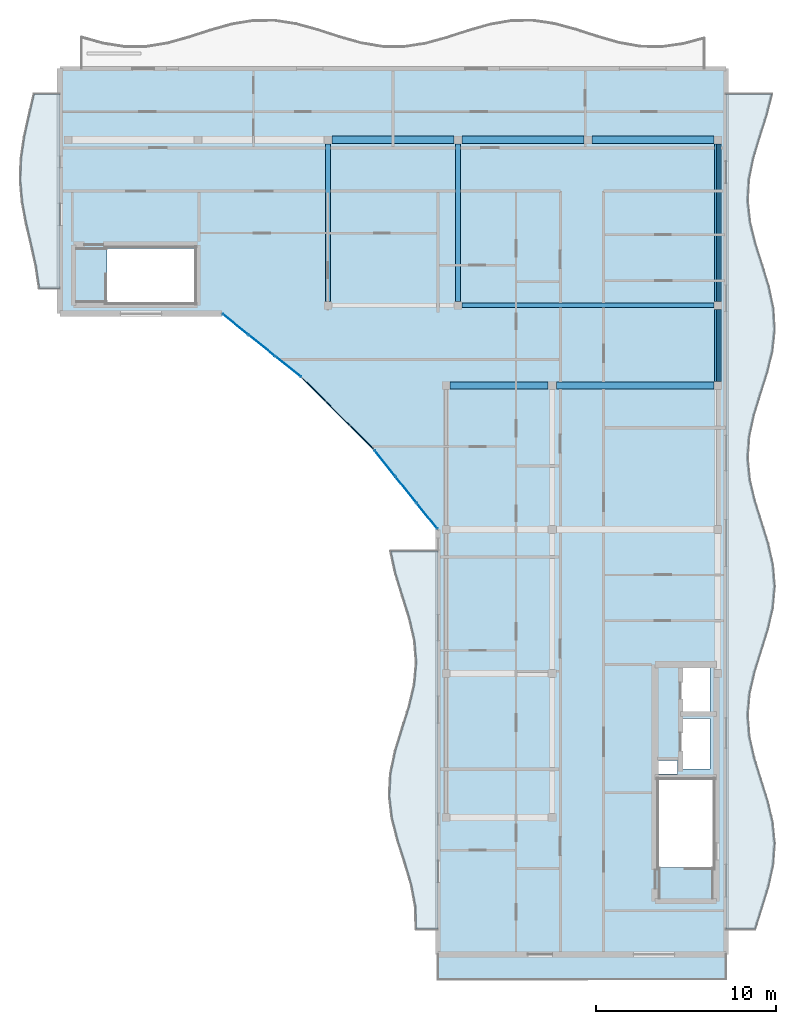
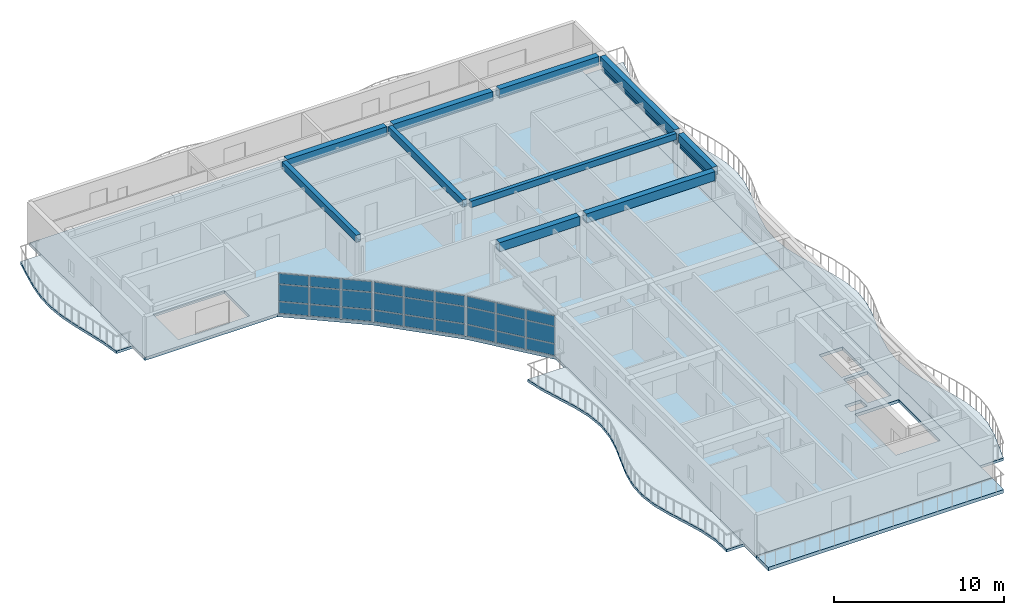
# One storey, part 7 of 14: 27 plates, 10 beams, 5 slabs, 4 members, 3 elements without a shape of their own.
"""IFC4 building model written with IfcOpenShell, lengths in metres."""

from ifc_helpers import new_model, si_unit, direction, frame, origin, origin_2d, place, context, subcontext, project, spatial, polyline, rectangle, hollow_rectangle, outline, extrude, material, layer, layer_set, material_profile, profile_set, type_object, element, aggregate, save


model = new_model("IFC4")

# Units and contexts
model_context = context("Model", 3, precision=1e-05, world=origin(), true_north=direction((0.0, 1.0)))
body_context = subcontext(model_context, "Body", "Model", "MODEL_VIEW")
ifc_project = project(units=[si_unit("LENGTHUNIT", "METRE"), si_unit("AREAUNIT", "SQUARE_METRE"), si_unit("VOLUMEUNIT", "CUBIC_METRE"), si_unit("PLANEANGLEUNIT", "RADIAN"), si_unit("MASSUNIT", "GRAM", prefix="KILO")], contexts=[model_context])

# Site, building, storey
site_placement = place(None, origin())
site = spatial("IfcSite", under=ifc_project, at=site_placement, CompositionType="ELEMENT")
building_placement = place(site_placement, origin())
building = spatial("IfcBuilding", under=site, at=building_placement, Name="Keldmere Railside Commons", CompositionType="ELEMENT")
storey_placement = place(building_placement, frame((0.0, 0.0, 42.56005859375)))
storey = spatial("IfcBuildingStorey", under=building, at=storey_placement, Name="L13", CompositionType="ELEMENT", Elevation=42.56005859375)

# Members
ifc_material_1 = material(Name="Steel F-36 (S355)", Category="steel")
ifc_material_profile_1 = material_profile(ifc_material_1, hollow_rectangle(XDim=0.14990234375, YDim=0.25, WallThickness=0.010009765625, at=origin_2d()), Name="RHS-250x150x10")
ifc_profile_set_1 = profile_set([ifc_material_profile_1], Name="Steel F-36 (S355)")
member_type_1 = type_object("IfcMemberType", Name="Balcony Continuous Planted Trough RHS250x150", PredefinedType="CHORD", material=ifc_profile_set_1)
member_1_placement = place(storey_placement, frame((183.550048828125, 96.22509765625, 2.4150390625), z_axis=(0.0, 1.0, 0.0), x_axis=(-1.0, 0.0, 0.0)))
element("IfcMember", 1, at=member_1_placement, inside=storey, type_object=member_type_1, Name="PLT-1 MEM-BPLT-1055", PredefinedType="CHORD", context=body_context, shape_type="SweptSolid", body=[
    extrude(hollow_rectangle(XDim=0.14990234375, YDim=0.25, WallThickness=0.010009765625, at=origin_2d()), origin(), (0.0, 0.0, 1.0), 4.0),
])
member_2_placement = place(storey_placement, frame((183.550048828125, 100.675048828125, 2.4150390625), z_axis=(0.0, 1.0, 0.0), x_axis=(-1.0, 0.0, 0.0)))
element("IfcMember", 2, at=member_2_placement, inside=storey, type_object=member_type_1, Name="PLT-1 MEM-BPLT-1057", PredefinedType="CHORD", context=body_context, shape_type="SweptSolid", body=[
    extrude(hollow_rectangle(XDim=0.14990234375, YDim=0.25, WallThickness=0.010009765625, at=origin_2d()), origin(), (0.0, 0.0, 1.0), 8.75),
])

# Beams
ifc_material_2 = material(Name="Architectural Precast Concrete H-35 (C35/45)", Category="concrete")
ifc_material_profile_2 = material_profile(ifc_material_2, rectangle(XDim=0.25, YDim=0.449951171875, at=origin_2d()), Name="RC-250x450")
ifc_profile_set_2 = profile_set([ifc_material_profile_2], Name="Architectural Precast Concrete H-35 (C35/45)")
beam_type_1 = type_object("IfcBeamType", Name="Perimeter Precast Spandrel Beam 250x450", PredefinedType="SPANDREL", material=ifc_profile_set_2)
beam_1_placement = place(storey_placement, frame((169.3349609375, 100.449951171875, 2.974853515625), z_axis=(1.0, 0.0, 0.0), x_axis=(0.0, 1.0, 0.0)))
element("IfcBeam", 3, at=beam_1_placement, inside=storey, type_object=beam_type_1, Name="SPB-1 BM-L13-2521", PredefinedType="SPANDREL", context=body_context, shape_type="SweptSolid", body=[
    extrude(rectangle(XDim=0.25, YDim=0.449951171875, at=origin_2d()), origin(), (0.0, 0.0, 1.0), 13.989990234375),
])
ifc_material_3 = material(Name="Concrete H-30 (C30/37)", Category="concrete")
ifc_material_profile_3 = material_profile(ifc_material_3, rectangle(XDim=0.35009765625, YDim=0.60009765625, at=origin_2d()), Name="RC-350x600")
ifc_profile_set_3 = profile_set([ifc_material_profile_3], Name="Concrete H-30 (C30/37)")
beam_type_2 = type_object("IfcBeamType", Name="Residential Chord RC Beam 350x600", PredefinedType="BEAM", material=ifc_profile_set_3)
beam_2_placement = place(storey_placement, frame((183.550048828125, 96.22509765625, 2.89990234375), z_axis=(0.0, 1.0, 0.0), x_axis=(-1.0, 0.0, 0.0)))
element("IfcBeam", 4, at=beam_2_placement, inside=storey, type_object=beam_type_2, Name="BG-4 BM-L13-2537", PredefinedType="BEAM", context=body_context, shape_type="SweptSolid", body=[
    extrude(rectangle(XDim=0.35009765625, YDim=0.60009765625, at=origin_2d()), origin(), (0.0, 0.0, 1.0), 4.0),
])
beam_3_placement = place(storey_placement, frame((183.550048828125, 100.675048828125, 2.89990234375), z_axis=(0.0, 1.0, 0.0), x_axis=(-1.0, 0.0, 0.0)))
element("IfcBeam", 5, at=beam_3_placement, inside=storey, type_object=beam_type_2, Name="BG-4 BM-L13-2538", PredefinedType="BEAM", context=body_context, shape_type="SweptSolid", body=[
    extrude(rectangle(XDim=0.35009765625, YDim=0.60009765625, at=origin_2d()), origin(), (0.0, 0.0, 1.0), 8.75),
])
ifc_material_profile_4 = material_profile(ifc_material_3, rectangle(XDim=0.39990234375, YDim=0.64990234375, at=origin_2d()), Name="RC-400x650")
ifc_profile_set_4 = profile_set([ifc_material_profile_4], Name="Concrete H-30 (C30/37)")
beam_type_3 = type_object("IfcBeamType", Name="Residential Spine RC Girder 400x650", PredefinedType="BEAM", material=ifc_profile_set_4)
beam_4_placement = place(storey_placement, frame((168.675048828125, 96.0, 2.875), z_axis=(1.0, 0.0, 0.0), x_axis=(0.0, 1.0, 0.0)))
element("IfcBeam", 6, at=beam_4_placement, inside=storey, type_object=beam_type_3, Name="BG-3 BM-L13-2518", PredefinedType="BEAM", context=body_context, shape_type="SweptSolid", body=[
    extrude(rectangle(XDim=0.39990234375, YDim=0.64990234375, at=origin_2d()), origin(), (0.0, 0.0, 1.0), 5.449951171875),
])
beam_5_placement = place(storey_placement, frame((174.574951171875, 96.0, 2.875), z_axis=(1.0, 0.0, 0.0), x_axis=(0.0, 1.0, 0.0)))
element("IfcBeam", 7, at=beam_5_placement, inside=storey, type_object=beam_type_3, Name="BG-3 BM-L13-2519", PredefinedType="BEAM", context=body_context, shape_type="SweptSolid", body=[
    extrude(rectangle(XDim=0.39990234375, YDim=0.64990234375, at=origin_2d()), origin(), (0.0, 0.0, 1.0), 8.75),
])
for number, where, z_axis, x_axis, name in (
    (8, (162.114990234375, 109.64990234375, 2.875), (1.0, 0.0, 0.0), (0.0, 1.0, 0.0), "BG-3 BM-L13-2524"),
    (9, (169.3349609375, 109.64990234375, 2.875), (1.0, 0.0, 0.0), (0.0, 1.0, 0.0), "BG-3 BM-L13-2525"),
    (10, (176.554931640625, 109.64990234375, 2.875), (1.0, 0.0, 0.0), (0.0, 1.0, 0.0), "BG-3 BM-L13-2526"),
):
    element("IfcBeam", number, at=place(storey_placement, frame(where, z_axis=z_axis, x_axis=x_axis)), inside=storey, type_object=beam_type_3, Name=name, PredefinedType="BEAM", context=body_context, shape_type="SweptSolid", body=[
        extrude(rectangle(XDim=0.39990234375, YDim=0.64990234375, at=origin_2d()), origin(), (0.0, 0.0, 1.0), 6.77001953125),
    ])
ifc_material_profile_5 = material_profile(ifc_material_3, rectangle(XDim=0.300048828125, YDim=0.5, at=origin_2d()), Name="RC-300x500")
ifc_profile_set_5 = profile_set([ifc_material_profile_5], Name="Concrete H-30 (C30/37)")
beam_type_4 = type_object("IfcBeamType", Name="Secondary Frame RC Beam 300x500", PredefinedType="BEAM", material=ifc_profile_set_5)
for number, where, z_axis, x_axis, name in (
    (11, (161.889892578125, 100.675048828125, 2.949951171875), (0.0, 1.0, 0.0), (-1.0, 0.0, 0.0), "BG-5 BM-L13-2527"),
    (12, (169.110107421875, 100.675048828125, 2.949951171875), (0.0, 1.0, 0.0), (-1.0, 0.0, 0.0), "BG-5 BM-L13-2531"),
):
    element("IfcBeam", number, at=place(storey_placement, frame(where, z_axis=z_axis, x_axis=x_axis)), inside=storey, type_object=beam_type_4, Name=name, PredefinedType="BEAM", context=body_context, shape_type="SweptSolid", body=[
        extrude(rectangle(XDim=0.300048828125, YDim=0.5, at=origin_2d()), origin(), (0.0, 0.0, 1.0), 8.75),
    ])

# Members
ifc_material_profile_6 = material_profile(ifc_material_1, hollow_rectangle(XDim=0.10009765625, YDim=0.159912109375, WallThickness=0.008056640625, at=origin_2d()), Name="RHS-160x100x8")
ifc_profile_set_6 = profile_set([ifc_material_profile_6], Name="Steel F-36 (S355)")
member_type_2 = type_object("IfcMemberType", Name="Solar Brise-Soleil Louvre Fin RHS160x100", PredefinedType="STRUT", material=ifc_profile_set_6)
member_3_placement = place(storey_placement, frame((183.550048828125, 96.22509765625, 2.199951171875), z_axis=(0.0, 1.0, 0.0), x_axis=(-1.0, 0.0, 0.0)))
element("IfcMember", 13, at=member_3_placement, inside=storey, type_object=member_type_2, Name="BSF-1 MEM-BSF-1056", PredefinedType="STRUT", context=body_context, shape_type="SweptSolid", body=[
    extrude(hollow_rectangle(XDim=0.10009765625, YDim=0.159912109375, WallThickness=0.008056640625, at=origin_2d()), origin(), (0.0, 0.0, 1.0), 4.0),
])
member_4_placement = place(storey_placement, frame((183.550048828125, 100.675048828125, 2.199951171875), z_axis=(0.0, 1.0, 0.0), x_axis=(-1.0, 0.0, 0.0)))
element("IfcMember", 14, at=member_4_placement, inside=storey, type_object=member_type_2, Name="BSF-1 MEM-BSF-1058", PredefinedType="STRUT", context=body_context, shape_type="SweptSolid", body=[
    extrude(hollow_rectangle(XDim=0.10009765625, YDim=0.159912109375, WallThickness=0.008056640625, at=origin_2d()), origin(), (0.0, 0.0, 1.0), 8.75),
])

# Curtain wall, plates
ifc_material_4 = material(Name="Thermally Broken Aluminium", Category="aluminium")
ifc_layer_1 = layer(ifc_material_4, 0.159912109375, Name="Court Chord Wintergarden CW 5400x2850")
ifc_layer_set_1 = layer_set([ifc_layer_1], Name="Thermally Broken Aluminium")
curtain_wall_type_1 = type_object("IfcCurtainWallType", Name="Court Chord Wintergarden CW 5400x2850", PredefinedType="NOTDEFINED", material=ifc_layer_set_1)
curtain_wall_1_placement = place(storey_placement, origin())
curtain_wall_1 = element("IfcCurtainWall", 15, at=curtain_wall_1_placement, inside=storey, type_object=curtain_wall_type_1, Name="CW-13 CW-L13-196", PredefinedType="NOTDEFINED")
ifc_material_5 = material(Name="Insulated Aluminium Spandrel Panel", Category="aluminium")
ifc_layer_2 = layer(ifc_material_5, 0.0439453125, Name="Insulated Ocher Spandrel Panel 44")
ifc_layer_set_2 = layer_set([ifc_layer_2], Name="Insulated Aluminium Spandrel Panel")
plate_type_1 = type_object("IfcPlateType", Name="Insulated Ocher Spandrel Panel 44", PredefinedType="CURTAIN_PANEL", material=ifc_layer_set_2)
plate_1_placement = place(storey_placement, frame((159.678955078125, 97.048583984375, 0.06494140625), z_axis=(0.0, 0.0, 1.0), x_axis=(-0.780009172323, 0.625768080915, 0.0)))
plate_1 = element("IfcPlate", 16, at=plate_1_placement, type_object=plate_type_1, Name="CW-13 panel 1.1", PredefinedType="CURTAIN_PANEL", context=body_context, shape_type="SweptSolid", body=[
    extrude(rectangle(XDim=1.795654296875, YDim=0.0439453125, at=origin_2d()), origin(), (0.0, 0.0, 1.0), 0.802490234375),
])
plate_2_placement = place(storey_placement, frame((159.678955078125, 97.048583984375, 0.932373046875), z_axis=(0.0, 0.0, 1.0), x_axis=(-0.780009172323, 0.625768080915, 0.0)))
plate_2 = element("IfcPlate", 17, at=plate_2_placement, type_object=plate_type_1, Name="CW-13 panel 1.2", PredefinedType="CURTAIN_PANEL", context=body_context, shape_type="SweptSolid", body=[
    extrude(rectangle(XDim=1.795654296875, YDim=0.0439453125, at=origin_2d()), origin(), (0.0, 0.0, 1.0), 1.18505859375),
])
plate_3_placement = place(storey_placement, frame((159.678955078125, 97.048583984375, 2.182373046875), z_axis=(0.0, 0.0, 1.0), x_axis=(-0.780009172323, 0.625768080915, 0.0)))
plate_3 = element("IfcPlate", 18, at=plate_3_placement, type_object=plate_type_1, Name="CW-13 panel 1.3", PredefinedType="CURTAIN_PANEL", context=body_context, shape_type="SweptSolid", body=[
    extrude(rectangle(XDim=1.795654296875, YDim=0.0439453125, at=origin_2d()), origin(), (0.0, 0.0, 1.0), 0.732421875),
])
plate_4_placement = place(storey_placement, frame((158.215087890625, 98.222900390625, 0.06494140625), z_axis=(0.0, 0.0, 1.0), x_axis=(-0.780009172323, 0.625768080915, 0.0)))
plate_4 = element("IfcPlate", 19, at=plate_4_placement, type_object=plate_type_1, Name="CW-13 panel 2.1", PredefinedType="CURTAIN_PANEL", context=body_context, shape_type="SweptSolid", body=[
    extrude(rectangle(XDim=1.828125, YDim=0.0439453125, at=origin_2d()), origin(), (0.0, 0.0, 1.0), 0.802490234375),
])
plate_5_placement = place(storey_placement, frame((158.215087890625, 98.222900390625, 0.932373046875), z_axis=(0.0, 0.0, 1.0), x_axis=(-0.780009172323, 0.625768080915, 0.0)))
plate_5 = element("IfcPlate", 20, at=plate_5_placement, type_object=plate_type_1, Name="CW-13 panel 2.2", PredefinedType="CURTAIN_PANEL", context=body_context, shape_type="SweptSolid", body=[
    extrude(rectangle(XDim=1.828125, YDim=0.0439453125, at=origin_2d()), origin(), (0.0, 0.0, 1.0), 1.18505859375),
])
plate_6_placement = place(storey_placement, frame((158.215087890625, 98.222900390625, 2.182373046875), z_axis=(0.0, 0.0, 1.0), x_axis=(-0.780009172323, 0.625768080915, 0.0)))
plate_6 = element("IfcPlate", 21, at=plate_6_placement, type_object=plate_type_1, Name="CW-13 panel 2.3", PredefinedType="CURTAIN_PANEL", context=body_context, shape_type="SweptSolid", body=[
    extrude(rectangle(XDim=1.828125, YDim=0.0439453125, at=origin_2d()), origin(), (0.0, 0.0, 1.0), 0.732421875),
])
plate_7_placement = place(storey_placement, frame((156.7509765625, 99.3974609375, 0.06494140625), z_axis=(0.0, 0.0, 1.0), x_axis=(-0.780009172323, 0.625768080915, 0.0)))
plate_7 = element("IfcPlate", 22, at=plate_7_placement, type_object=plate_type_1, Name="CW-13 panel 3.1", PredefinedType="CURTAIN_PANEL", context=body_context, shape_type="SweptSolid", body=[
    extrude(rectangle(XDim=1.795654296875, YDim=0.0439453125, at=origin_2d()), origin(), (0.0, 0.0, 1.0), 0.802490234375),
])
plate_8_placement = place(storey_placement, frame((156.7509765625, 99.3974609375, 0.932373046875), z_axis=(0.0, 0.0, 1.0), x_axis=(-0.780009172323, 0.625768080915, 0.0)))
plate_8 = element("IfcPlate", 23, at=plate_8_placement, type_object=plate_type_1, Name="CW-13 panel 3.2", PredefinedType="CURTAIN_PANEL", context=body_context, shape_type="SweptSolid", body=[
    extrude(rectangle(XDim=1.795654296875, YDim=0.0439453125, at=origin_2d()), origin(), (0.0, 0.0, 1.0), 1.18505859375),
])
plate_9_placement = place(storey_placement, frame((156.7509765625, 99.3974609375, 2.182373046875), z_axis=(0.0, 0.0, 1.0), x_axis=(-0.780009172323, 0.625768080915, 0.0)))
plate_9 = element("IfcPlate", 24, at=plate_9_placement, type_object=plate_type_1, Name="CW-13 panel 3.3", PredefinedType="CURTAIN_PANEL", context=body_context, shape_type="SweptSolid", body=[
    extrude(rectangle(XDim=1.795654296875, YDim=0.0439453125, at=origin_2d()), origin(), (0.0, 0.0, 1.0), 0.732421875),
])
aggregate(curtain_wall_1, [plate_1, plate_2, plate_3, plate_4, plate_5, plate_6, plate_7, plate_8, plate_9])

curtain_wall_2_placement = place(storey_placement, origin())
curtain_wall_2 = element("IfcCurtainWall", 25, at=curtain_wall_2_placement, inside=storey, type_object=curtain_wall_type_1, Name="CW-13 CW-L13-198", PredefinedType="NOTDEFINED")
plate_10_placement = place(storey_placement, frame((167.3974609375, 88.7509765625, 0.06494140625), z_axis=(0.0, 0.0, 1.0), x_axis=(-0.625768080915, 0.780009172323, 0.0)))
plate_10 = element("IfcPlate", 26, at=plate_10_placement, type_object=plate_type_1, Name="CW-13 panel 1.1", PredefinedType="CURTAIN_PANEL", context=body_context, shape_type="SweptSolid", body=[
    extrude(rectangle(XDim=1.795654296875, YDim=0.0439453125, at=origin_2d()), origin(), (0.0, 0.0, 1.0), 0.802490234375),
])
plate_11_placement = place(storey_placement, frame((167.3974609375, 88.7509765625, 0.932373046875), z_axis=(0.0, 0.0, 1.0), x_axis=(-0.625768080915, 0.780009172323, 0.0)))
plate_11 = element("IfcPlate", 27, at=plate_11_placement, type_object=plate_type_1, Name="CW-13 panel 1.2", PredefinedType="CURTAIN_PANEL", context=body_context, shape_type="SweptSolid", body=[
    extrude(rectangle(XDim=1.795654296875, YDim=0.0439453125, at=origin_2d()), origin(), (0.0, 0.0, 1.0), 1.18505859375),
])
plate_12_placement = place(storey_placement, frame((167.3974609375, 88.7509765625, 2.182373046875), z_axis=(0.0, 0.0, 1.0), x_axis=(-0.625768080915, 0.780009172323, 0.0)))
plate_12 = element("IfcPlate", 28, at=plate_12_placement, type_object=plate_type_1, Name="CW-13 panel 1.3", PredefinedType="CURTAIN_PANEL", context=body_context, shape_type="SweptSolid", body=[
    extrude(rectangle(XDim=1.795654296875, YDim=0.0439453125, at=origin_2d()), origin(), (0.0, 0.0, 1.0), 0.732421875),
])
plate_13_placement = place(storey_placement, frame((166.222900390625, 90.215087890625, 0.06494140625), z_axis=(0.0, 0.0, 1.0), x_axis=(-0.625768080915, 0.780009172323, 0.0)))
plate_13 = element("IfcPlate", 29, at=plate_13_placement, type_object=plate_type_1, Name="CW-13 panel 2.1", PredefinedType="CURTAIN_PANEL", context=body_context, shape_type="SweptSolid", body=[
    extrude(rectangle(XDim=1.828125, YDim=0.0439453125, at=origin_2d()), origin(), (0.0, 0.0, 1.0), 0.802490234375),
])
plate_14_placement = place(storey_placement, frame((166.222900390625, 90.215087890625, 0.932373046875), z_axis=(0.0, 0.0, 1.0), x_axis=(-0.625768080915, 0.780009172323, 0.0)))
plate_14 = element("IfcPlate", 30, at=plate_14_placement, type_object=plate_type_1, Name="CW-13 panel 2.2", PredefinedType="CURTAIN_PANEL", context=body_context, shape_type="SweptSolid", body=[
    extrude(rectangle(XDim=1.828125, YDim=0.0439453125, at=origin_2d()), origin(), (0.0, 0.0, 1.0), 1.18505859375),
])
plate_15_placement = place(storey_placement, frame((166.222900390625, 90.215087890625, 2.182373046875), z_axis=(0.0, 0.0, 1.0), x_axis=(-0.625768080915, 0.780009172323, 0.0)))
plate_15 = element("IfcPlate", 31, at=plate_15_placement, type_object=plate_type_1, Name="CW-13 panel 2.3", PredefinedType="CURTAIN_PANEL", context=body_context, shape_type="SweptSolid", body=[
    extrude(rectangle(XDim=1.828125, YDim=0.0439453125, at=origin_2d()), origin(), (0.0, 0.0, 1.0), 0.732421875),
])
plate_16_placement = place(storey_placement, frame((165.048583984375, 91.678955078125, 0.06494140625), z_axis=(0.0, 0.0, 1.0), x_axis=(-0.625768080915, 0.780009172323, 0.0)))
plate_16 = element("IfcPlate", 32, at=plate_16_placement, type_object=plate_type_1, Name="CW-13 panel 3.1", PredefinedType="CURTAIN_PANEL", context=body_context, shape_type="SweptSolid", body=[
    extrude(rectangle(XDim=1.795654296875, YDim=0.0439453125, at=origin_2d()), origin(), (0.0, 0.0, 1.0), 0.802490234375),
])
plate_17_placement = place(storey_placement, frame((165.048583984375, 91.678955078125, 0.932373046875), z_axis=(0.0, 0.0, 1.0), x_axis=(-0.625768080915, 0.780009172323, 0.0)))
plate_17 = element("IfcPlate", 33, at=plate_17_placement, type_object=plate_type_1, Name="CW-13 panel 3.2", PredefinedType="CURTAIN_PANEL", context=body_context, shape_type="SweptSolid", body=[
    extrude(rectangle(XDim=1.795654296875, YDim=0.0439453125, at=origin_2d()), origin(), (0.0, 0.0, 1.0), 1.18505859375),
])
plate_18_placement = place(storey_placement, frame((165.048583984375, 91.678955078125, 2.182373046875), z_axis=(0.0, 0.0, 1.0), x_axis=(-0.625768080915, 0.780009172323, 0.0)))
plate_18 = element("IfcPlate", 34, at=plate_18_placement, type_object=plate_type_1, Name="CW-13 panel 3.3", PredefinedType="CURTAIN_PANEL", context=body_context, shape_type="SweptSolid", body=[
    extrude(rectangle(XDim=1.795654296875, YDim=0.0439453125, at=origin_2d()), origin(), (0.0, 0.0, 1.0), 0.732421875),
])
aggregate(curtain_wall_2, [plate_10, plate_11, plate_12, plate_13, plate_14, plate_15, plate_16, plate_17, plate_18])

ifc_layer_3 = layer(ifc_material_4, 0.159912109375, Name="Court Chord Wintergarden CW 4800x2850")
ifc_layer_set_3 = layer_set([ifc_layer_3], Name="Thermally Broken Aluminium")
curtain_wall_type_2 = type_object("IfcCurtainWallType", Name="Court Chord Wintergarden CW 4800x2850", PredefinedType="NOTDEFINED", material=ifc_layer_set_3)
curtain_wall_3_placement = place(storey_placement, origin())
curtain_wall_3 = element("IfcCurtainWall", 35, at=curtain_wall_3_placement, inside=storey, type_object=curtain_wall_type_2, Name="CW-12 CW-L13-197", PredefinedType="NOTDEFINED")
ifc_layer_4 = layer(ifc_material_5, 0.050048828125, Name="Insulated Terracotta Spandrel Panel 50")
ifc_layer_set_4 = layer_set([ifc_layer_4], Name="Insulated Aluminium Spandrel Panel")
plate_type_2 = type_object("IfcPlateType", Name="Insulated Terracotta Spandrel Panel 50", PredefinedType="CURTAIN_PANEL", material=ifc_layer_set_4)
plate_19_placement = place(storey_placement, frame((163.76513671875, 93.11083984375, 0.06494140625), z_axis=(0.0, 0.0, 1.0), x_axis=(-0.707106781187, 0.707106781187, 0.0)))
plate_19 = element("IfcPlate", 36, at=plate_19_placement, type_object=plate_type_2, Name="CW-12 panel 1.1", PredefinedType="CURTAIN_PANEL", context=body_context, shape_type="SweptSolid", body=[
    extrude(rectangle(XDim=1.795654296875, YDim=0.050048828125, at=origin_2d()), origin(), (0.0, 0.0, 1.0), 0.802490234375),
])
plate_20_placement = place(storey_placement, frame((163.76513671875, 93.11083984375, 0.932373046875), z_axis=(0.0, 0.0, 1.0), x_axis=(-0.707106781187, 0.707106781187, 0.0)))
plate_20 = element("IfcPlate", 37, at=plate_20_placement, type_object=plate_type_2, Name="CW-12 panel 1.2", PredefinedType="CURTAIN_PANEL", context=body_context, shape_type="SweptSolid", body=[
    extrude(rectangle(XDim=1.795654296875, YDim=0.050048828125, at=origin_2d()), origin(), (0.0, 0.0, 1.0), 1.18505859375),
])
plate_21_placement = place(storey_placement, frame((163.76513671875, 93.11083984375, 2.182373046875), z_axis=(0.0, 0.0, 1.0), x_axis=(-0.707106781187, 0.707106781187, 0.0)))
plate_21 = element("IfcPlate", 38, at=plate_21_placement, type_object=plate_type_2, Name="CW-12 panel 1.3", PredefinedType="CURTAIN_PANEL", context=body_context, shape_type="SweptSolid", body=[
    extrude(rectangle(XDim=1.795654296875, YDim=0.050048828125, at=origin_2d()), origin(), (0.0, 0.0, 1.0), 0.732421875),
])
plate_22_placement = place(storey_placement, frame((162.43798828125, 94.43798828125, 0.06494140625), z_axis=(0.0, 0.0, 1.0), x_axis=(-0.707106781187, 0.707106781187, 0.0)))
plate_22 = element("IfcPlate", 39, at=plate_22_placement, type_object=plate_type_2, Name="CW-12 panel 2.1", PredefinedType="CURTAIN_PANEL", context=body_context, shape_type="SweptSolid", body=[
    extrude(rectangle(XDim=1.828125, YDim=0.050048828125, at=origin_2d()), origin(), (0.0, 0.0, 1.0), 0.802490234375),
])
plate_23_placement = place(storey_placement, frame((162.43798828125, 94.43798828125, 0.932373046875), z_axis=(0.0, 0.0, 1.0), x_axis=(-0.707106781187, 0.707106781187, 0.0)))
plate_23 = element("IfcPlate", 40, at=plate_23_placement, type_object=plate_type_2, Name="CW-12 panel 2.2", PredefinedType="CURTAIN_PANEL", context=body_context, shape_type="SweptSolid", body=[
    extrude(rectangle(XDim=1.828125, YDim=0.050048828125, at=origin_2d()), origin(), (0.0, 0.0, 1.0), 1.18505859375),
])
plate_24_placement = place(storey_placement, frame((162.43798828125, 94.43798828125, 2.182373046875), z_axis=(0.0, 0.0, 1.0), x_axis=(-0.707106781187, 0.707106781187, 0.0)))
plate_24 = element("IfcPlate", 41, at=plate_24_placement, type_object=plate_type_2, Name="CW-12 panel 2.3", PredefinedType="CURTAIN_PANEL", context=body_context, shape_type="SweptSolid", body=[
    extrude(rectangle(XDim=1.828125, YDim=0.050048828125, at=origin_2d()), origin(), (0.0, 0.0, 1.0), 0.732421875),
])
plate_25_placement = place(storey_placement, frame((161.11083984375, 95.76513671875, 0.06494140625), z_axis=(0.0, 0.0, 1.0), x_axis=(-0.707106781187, 0.707106781187, 0.0)))
plate_25 = element("IfcPlate", 42, at=plate_25_placement, type_object=plate_type_2, Name="CW-12 panel 3.1", PredefinedType="CURTAIN_PANEL", context=body_context, shape_type="SweptSolid", body=[
    extrude(rectangle(XDim=1.795654296875, YDim=0.050048828125, at=origin_2d()), origin(), (0.0, 0.0, 1.0), 0.802490234375),
])
plate_26_placement = place(storey_placement, frame((161.11083984375, 95.76513671875, 0.932373046875), z_axis=(0.0, 0.0, 1.0), x_axis=(-0.707106781187, 0.707106781187, 0.0)))
plate_26 = element("IfcPlate", 43, at=plate_26_placement, type_object=plate_type_2, Name="CW-12 panel 3.2", PredefinedType="CURTAIN_PANEL", context=body_context, shape_type="SweptSolid", body=[
    extrude(rectangle(XDim=1.795654296875, YDim=0.050048828125, at=origin_2d()), origin(), (0.0, 0.0, 1.0), 1.18505859375),
])
plate_27_placement = place(storey_placement, frame((161.11083984375, 95.76513671875, 2.182373046875), z_axis=(0.0, 0.0, 1.0), x_axis=(-0.707106781187, 0.707106781187, 0.0)))
plate_27 = element("IfcPlate", 44, at=plate_27_placement, type_object=plate_type_2, Name="CW-12 panel 3.3", PredefinedType="CURTAIN_PANEL", context=body_context, shape_type="SweptSolid", body=[
    extrude(rectangle(XDim=1.795654296875, YDim=0.050048828125, at=origin_2d()), origin(), (0.0, 0.0, 1.0), 0.732421875),
])
aggregate(curtain_wall_3, [plate_19, plate_20, plate_21, plate_22, plate_23, plate_24, plate_25, plate_26, plate_27])

# Slabs
ifc_material_6 = material(Name="Concrete H-35 (C35/45)", Category="concrete")
ifc_layer_5 = layer(ifc_material_6, 0.25, Name="Planted Terrace Roof Slab 250")
ifc_layer_set_5 = layer_set([ifc_layer_5], Name="Concrete H-35 (C35/45)")
slab_type_1 = type_object("IfcSlabType", Name="Planted Terrace Roof Slab 250", PredefinedType="ROOF", material=ifc_layer_set_5)
slab_1_placement = place(storey_placement, frame((0.0, 0.0, -0.25)))
element("IfcSlab", 45, at=slab_1_placement, inside=storey, type_object=slab_type_1, Name="RT-1 TERRA-L13-071", PredefinedType="ROOF", context=body_context, shape_type="SweptSolid", body=[
    extrude(outline(polyline([(184.0, 63.0), (184.0, 64.389892578125), (168.0, 64.389892578125), (168.0, 63.0), (184.0, 63.0)])), origin(), (0.0, 0.0, 1.0), 0.25),
])
ifc_layer_6 = layer(ifc_material_3, 0.219970703125, Name="Residential Flat Slab 220")
ifc_layer_set_6 = layer_set([ifc_layer_6], Name="Concrete H-30 (C30/37)")
slab_type_2 = type_object("IfcSlabType", Name="Residential Flat Slab 220", PredefinedType="FLOOR", material=ifc_layer_set_6)
slab_2_placement = place(storey_placement, frame((0.0, 0.0, -0.219970703125)))
element("IfcSlab", 46, at=slab_2_placement, inside=storey, type_object=slab_type_2, Name="FS-2 BLKA-L13-070", PredefinedType="FLOOR", context=body_context, shape_type="SweptSolid", body=[
    extrude(outline(polyline([(168.0, 64.39990234375), (184.0, 64.39990234375), (184.0, 113.60009765625), (147.0, 113.60009765625), (147.0, 100.0), (156.0, 100.0), (160.429931640625, 96.446044921875), (164.446044921875, 92.429931640625), (168.0, 88.0), (168.0, 64.39990234375)]), holes=[polyline([(180.27490234375, 74.074951171875), (183.27490234375, 74.074951171875), (183.27490234375, 69.22509765625), (180.27490234375, 69.22509765625), (180.27490234375, 74.074951171875)]), polyline([(180.219970703125, 75.159912109375), (181.320068359375, 75.159912109375), (181.320068359375, 74.419921875), (180.219970703125, 74.419921875), (180.219970703125, 75.159912109375)]), polyline([(181.5, 77.5), (183.10009765625, 77.5), (183.10009765625, 74.699951171875), (181.5, 74.699951171875), (181.5, 77.5)]), polyline([(183.10009765625, 80.39990234375), (183.10009765625, 77.75), (181.5, 77.75), (181.5, 80.39990234375), (183.10009765625, 80.39990234375)]), polyline([(154.47509765625, 100.625), (149.625, 100.625), (149.625, 103.625), (154.47509765625, 103.625), (154.47509765625, 100.625)])]), origin(), (0.0, 0.0, 1.0), 0.219970703125),
])
ifc_material_7 = material(Name="White Precast Concrete H-35 (C35/45)", Category="concrete")
ifc_layer_7 = layer(ifc_material_7, 0.179931640625, Name="Sinusoidal Wave Balcony Slab 180")
ifc_layer_set_7 = layer_set([ifc_layer_7], Name="White Precast Concrete H-35 (C35/45)")
slab_type_3 = type_object("IfcSlabType", Name="Sinusoidal Wave Balcony Slab 180", PredefinedType="FLOOR", material=ifc_layer_set_7)
slab_3_placement = place(storey_placement, frame((0.0, 0.0, -0.18017578125)))
element("IfcSlab", 47, at=slab_3_placement, inside=storey, type_object=slab_type_3, Name="WB-1 A L13 CW Wave Balcony", PredefinedType="FLOOR", context=body_context, shape_type="SweptSolid", body=[
    extrude(outline(polyline([(168.0, 65.800048828125), (168.0, 67.035400390625), (168.0, 68.2705078125), (168.0, 69.505859375), (168.0, 70.7412109375), (168.0, 71.9765625), (168.0, 73.2119140625), (168.0, 74.447021484375), (168.0, 75.682373046875), (168.0, 76.91748046875), (168.0, 78.15283203125), (168.0, 79.38818359375), (168.0, 80.62353515625), (168.0, 81.85888671875), (168.0, 83.093994140625), (168.0, 84.329345703125), (168.0, 85.564697265625), (168.0, 86.800048828125), (165.377197265625, 86.800048828125), (165.642578125, 85.564697265625), (166.0234375, 84.329345703125), (166.411865234375, 83.093994140625), (166.69775390625, 81.85888671875), (166.800048828125, 80.62353515625), (166.689453125, 79.38818359375), (166.397705078125, 78.15283203125), (166.00732421875, 76.91748046875), (165.62890625, 75.682373046875), (165.3701171875, 74.447021484375), (165.303955078125, 73.2119140625), (165.449462890625, 71.9765625), (165.76513671875, 70.7412109375), (166.16162109375, 69.505859375), (166.526611328125, 68.2705078125), (166.756103515625, 67.035400390625), (166.78564453125, 65.800048828125), (168.0, 65.800048828125)])), origin(), (0.0, 0.0, 1.0), 0.18017578125),
])
slab_4_placement = place(storey_placement, frame((0.0, 0.0, -0.18017578125)))
element("IfcSlab", 48, at=slab_4_placement, inside=storey, type_object=slab_type_3, Name="WB-1 A L13 CE Wave Balcony", PredefinedType="FLOOR", context=body_context, shape_type="SweptSolid", body=[
    extrude(outline(polyline([(185.61279296875, 65.800048828125), (185.989501953125, 66.98974609375), (186.35595703125, 68.179443359375), (186.615234375, 69.369140625), (186.699462890625, 70.55908203125), (186.586181640625, 71.748779296875), (186.30517578125, 72.9384765625), (185.9306640625, 74.128173828125), (185.561279296875, 75.31787109375), (185.294189453125, 76.5078125), (185.2001953125, 77.697509765625), (185.303466796875, 78.88720703125), (185.577392578125, 80.076904296875), (185.94921875, 81.2666015625), (186.321533203125, 82.456298828125), (186.595703125, 83.646240234375), (186.699951171875, 84.8359375), (186.6064453125, 86.025634765625), (186.340087890625, 87.21533203125), (185.970947265625, 88.405029296875), (185.59619140625, 89.594970703125), (185.314697265625, 90.78466796875), (185.20068359375, 91.974365234375), (185.283935546875, 93.1640625), (185.54296875, 94.353759765625), (185.908935546875, 95.543701171875), (186.285888671875, 96.7333984375), (186.574462890625, 97.923095703125), (186.6982421875, 99.11279296875), (186.625, 100.302490234375), (186.373779296875, 101.4921875), (186.010986328125, 102.68212890625), (185.632080078125, 103.871826171875), (185.3369140625, 105.0615234375), (185.203369140625, 106.251220703125), (185.2666015625, 107.44091796875), (185.509765625, 108.630859375), (185.868896484375, 109.820556640625), (186.24951171875, 111.01025390625), (186.55126953125, 112.199951171875), (184.0, 112.199951171875), (184.0, 111.01025390625), (184.0, 109.820556640625), (184.0, 108.630859375), (184.0, 107.44091796875), (184.0, 106.251220703125), (184.0, 105.0615234375), (184.0, 103.871826171875), (184.0, 102.68212890625), (184.0, 101.4921875), (184.0, 100.302490234375), (184.0, 99.11279296875), (184.0, 97.923095703125), (184.0, 96.7333984375), (184.0, 95.543701171875), (184.0, 94.353759765625), (184.0, 93.1640625), (184.0, 91.974365234375), (184.0, 90.78466796875), (184.0, 89.594970703125), (184.0, 88.405029296875), (184.0, 87.21533203125), (184.0, 86.025634765625), (184.0, 84.8359375), (184.0, 83.646240234375), (184.0, 82.456298828125), (184.0, 81.2666015625), (184.0, 80.076904296875), (184.0, 78.88720703125), (184.0, 77.697509765625), (184.0, 76.5078125), (184.0, 75.31787109375), (184.0, 74.128173828125), (184.0, 72.9384765625), (184.0, 71.748779296875), (184.0, 70.55908203125), (184.0, 69.369140625), (184.0, 68.179443359375), (184.0, 66.98974609375), (184.0, 65.800048828125), (185.61279296875, 65.800048828125)])), origin(), (0.0, 0.0, 1.0), 0.18017578125),
])
slab_5_placement = place(storey_placement, frame((0.0, 0.0, -0.18017578125)))
element("IfcSlab", 49, at=slab_5_placement, inside=storey, type_object=slab_type_3, Name="WB-1 A L13 WW Wave Balcony", PredefinedType="FLOOR", context=body_context, shape_type="SweptSolid", body=[
    extrude(outline(polyline([(147.0, 101.39990234375), (147.0, 102.60009765625), (147.0, 103.800048828125), (147.0, 105.0), (147.0, 106.199951171875), (147.0, 107.39990234375), (147.0, 108.60009765625), (147.0, 109.800048828125), (147.0, 111.0), (147.0, 112.199951171875), (145.56640625, 112.199951171875), (145.28466796875, 111.0), (145.020263671875, 109.800048828125), (144.844482421875, 108.60009765625), (144.803955078125, 107.39990234375), (144.909912109375, 106.199951171875), (145.133544921875, 105.0), (145.415283203125, 103.800048828125), (145.6796875, 102.60009765625), (145.855712890625, 101.39990234375), (147.0, 101.39990234375)])), origin(), (0.0, 0.0, 1.0), 0.18017578125),
])

save(model, "model.ifc")
